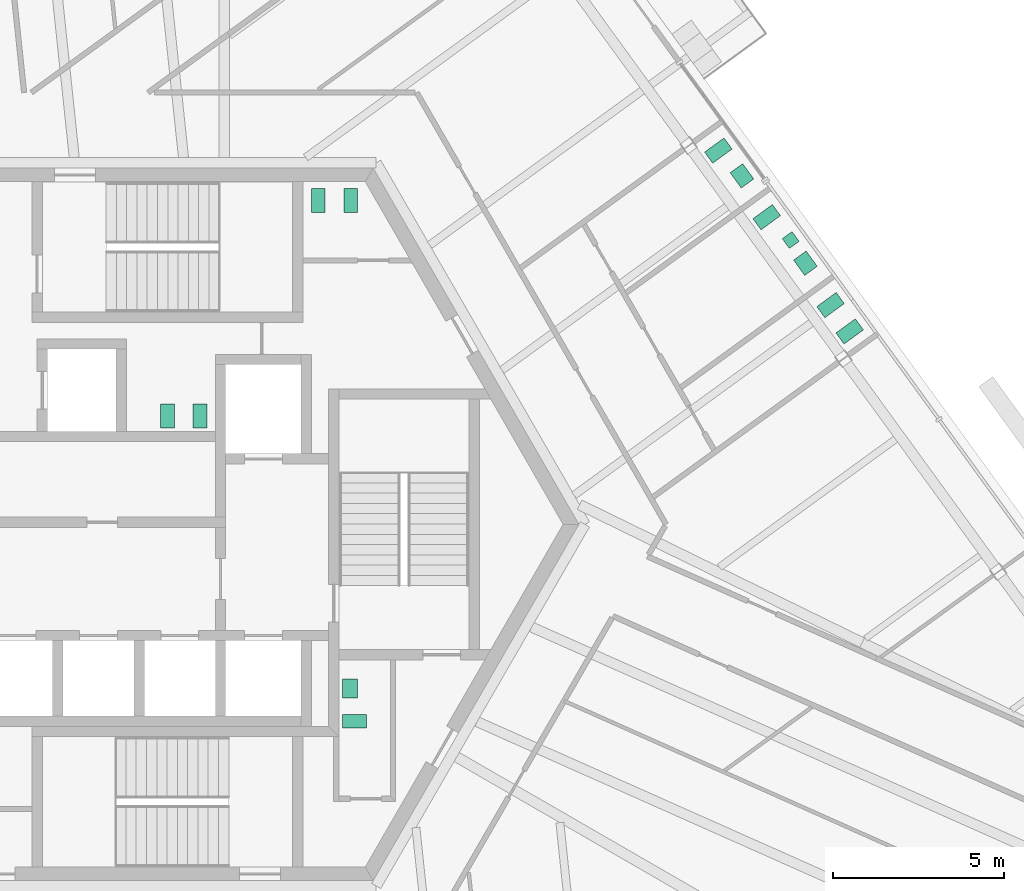
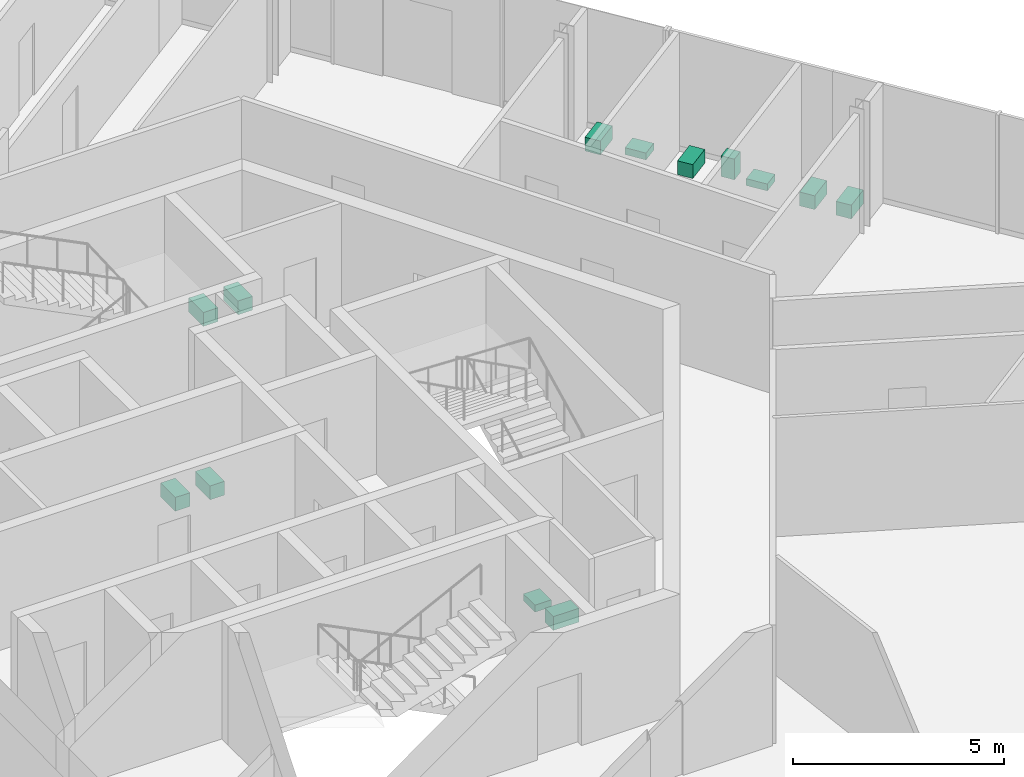
# One storey, part 17 of 19: 13 sanitary terminals.
"""IFC4 building model written with IfcOpenShell, lengths in metres."""

from ifc_helpers import new_model, si_unit, direction, frame, origin, origin_2d, place, context, subcontext, project, spatial, rectangle, extrude, source, transform, mapped, material, element, save


model = new_model("IFC4")

# Units and contexts
model_context = context("Model", 3, precision=1e-05, world=origin(), true_north=direction((0.0, 1.0)))
body_context = subcontext(model_context, "Body", "Model", "MODEL_VIEW")
ifc_project = project(units=[si_unit("LENGTHUNIT", "METRE"), si_unit("AREAUNIT", "SQUARE_METRE"), si_unit("VOLUMEUNIT", "CUBIC_METRE"), si_unit("PLANEANGLEUNIT", "RADIAN"), si_unit("MASSUNIT", "GRAM", prefix="KILO")], contexts=[model_context])

# Site, building, storey
site_placement = place(None, origin())
site = spatial("IfcSite", under=ifc_project, at=site_placement, CompositionType="ELEMENT")
building_placement = place(site_placement, origin())
building = spatial("IfcBuilding", under=site, at=building_placement, Name="Triune Harvest Tower", CompositionType="ELEMENT")
storey_placement = place(building_placement, frame((0.0, 0.0, 244.89990234375)))
storey = spatial("IfcBuildingStorey", under=building, at=storey_placement, Name="L64", CompositionType="ELEMENT", Elevation=244.89990234375)

# Sanitary terminals
ifc_material = material(Name="Vitreous china")
shared_shape_1 = source(origin(), body_context, "Body", "SweptSolid", [
    extrude(rectangle(XDim=0.39990234375, YDim=0.699951171875, at=origin_2d()), origin(), (0.0, 0.0, 1.0), 0.39990234375),
])
for number, where, z_axis, x_axis, name in (
    (1, (4.39990234375, 9.449951171875, 0.000244140625), (0.0, 0.0, 1.0), (1.0, 0.0, 0.0), "Toilet pan L64.c01"),
    (2, (5.35009765625, 9.449951171875, 0.000244140625), (0.0, 0.0, 1.0), (1.0, 0.0, 0.0), "Toilet pan L64.c02"),
    (3, (0.949951171875, 3.159912109375, 0.000244140625), (0.0, 0.0, 1.0), (-1.0, 0.0, 0.0), "Toilet pan L64.c03"),
    (4, (0.0, 3.159912109375, 0.000244140625), (0.0, 0.0, 1.0), (-1.0, 0.0, 0.0), "Toilet pan L64.c04"),
    (5, (5.449951171875, -5.739990234375, 0.000244140625), (0.0, 0.0, 1.0), (0.0, 1.0, 0.0), "Toilet pan L64.c05"),
    (6, (19.337646484375, 6.39501953125, 0.000244140625), (0.0, 0.0, 1.0), (0.587785252292, -0.809016994375, 0.0), "Toilet pan 01"),
    (7, (19.89599609375, 5.626708984375, 0.000244140625), (0.0, 0.0, 1.0), (0.587785252292, -0.809016994375, 0.0), "Toilet pan 02"),
    (8, (17.475830078125, 8.957763671875, 0.000244140625), (0.0, 0.0, 1.0), (0.587785252292, -0.809016994375, 0.0), "Toilet pan 03"),
    (9, (16.065185546875, 10.8994140625, 0.000244140625), (0.0, 0.0, 1.0), (0.587771132193, -0.80902725304, 0.0), "Toilet pan 06"),
):
    element("IfcSanitaryTerminal", number, at=place(storey_placement, frame(where, z_axis=z_axis, x_axis=x_axis)), inside=storey, material=ifc_material, Name=name, PredefinedType="TOILETPAN", context=body_context, shape_type="MappedRepresentation", body=[
        mapped(shared_shape_1, transform((0.0, 0.0, 0.0), scale=1.0)),
    ])
shared_shape_2 = source(origin(), body_context, "Body", "SweptSolid", [
    extrude(rectangle(XDim=0.35009765625, YDim=0.35009765625, at=origin_2d()), origin(), (0.0, 0.0, 1.0), 0.60009765625),
])
sanitary_terminal_placement = place(storey_placement, frame((18.17578125, 8.2919921875, 0.0), z_axis=(0.0, 0.0, 1.0), x_axis=(0.587785252292, -0.809016994375, 0.0)))
element("IfcSanitaryTerminal", 10, at=sanitary_terminal_placement, inside=storey, material=ifc_material, Name="Urinal 04", PredefinedType="URINAL", context=body_context, shape_type="MappedRepresentation", body=[
    mapped(shared_shape_2, transform((0.0, 0.0, 0.0), scale=1.0)),
])
shared_shape_3 = source(origin(), body_context, "Body", "SweptSolid", [
    extrude(rectangle(XDim=0.550048828125, YDim=0.449951171875, at=origin_2d()), origin(), (0.0, 0.0, 1.0), 0.199951171875),
])
for number, where, z_axis, x_axis, name in (
    (11, (5.324951171875, -4.7900390625, 0.0), (0.0, 0.0, 1.0), (0.0, 1.0, 0.0), "Wash basin L64.c06"),
    (12, (18.60546875, 7.615478515625, 0.0), (0.0, 0.0, 1.0), (0.587785252292, -0.809016994375, 0.0), "Wash basin 05"),
    (13, (16.754150390625, 10.163818359375, 0.0), (0.0, 0.0, 1.0), (0.587771132193, -0.80902725304, 0.0), "Wash basin 07"),
):
    element("IfcSanitaryTerminal", number, at=place(storey_placement, frame(where, z_axis=z_axis, x_axis=x_axis)), inside=storey, material=ifc_material, Name=name, PredefinedType="WASHHANDBASIN", context=body_context, shape_type="MappedRepresentation", body=[
        mapped(shared_shape_3, transform((0.0, 0.0, 0.0), scale=1.0)),
    ])

save(model, "model.ifc")
